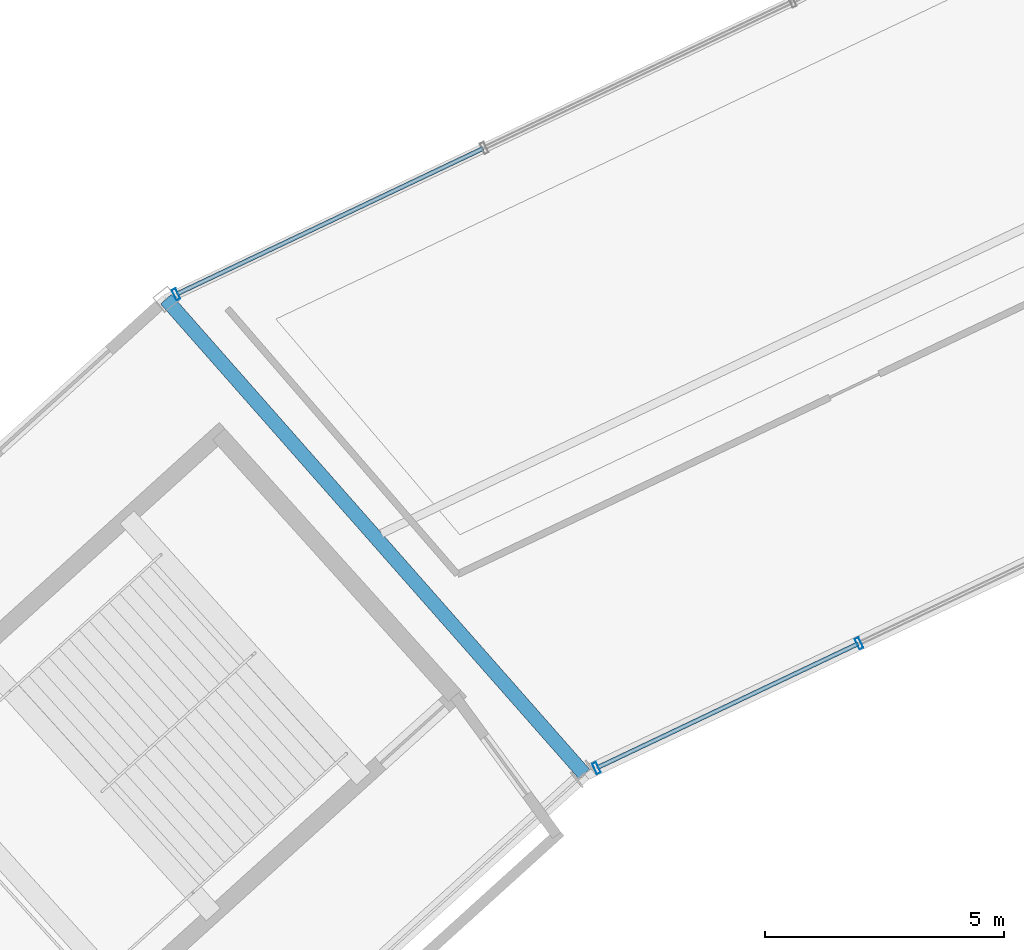
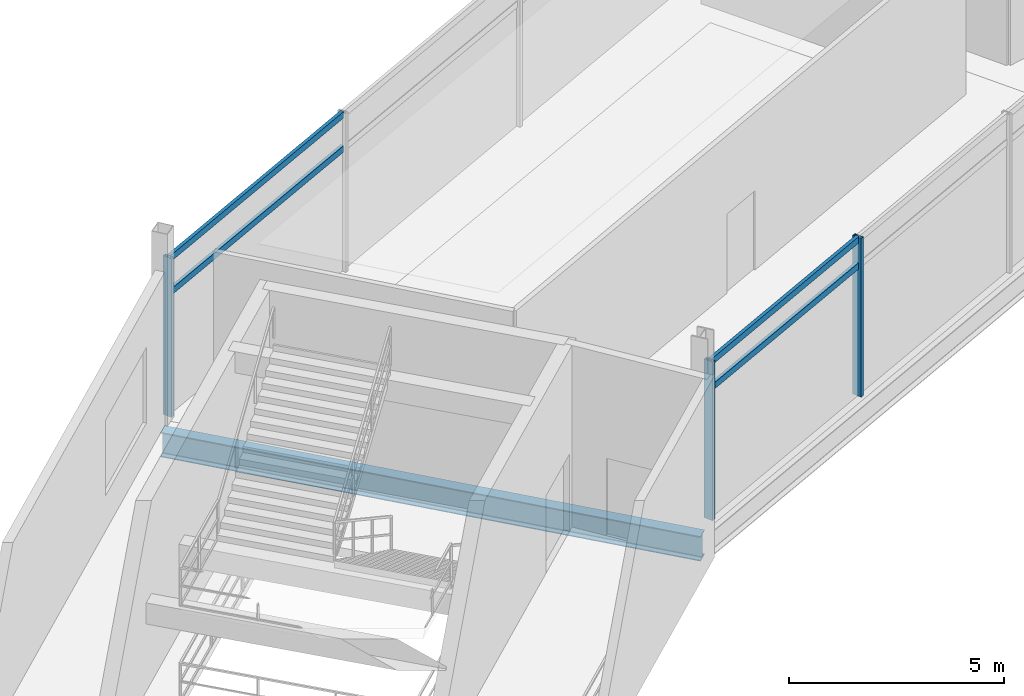
# One storey, part 51 of 86: 7 members, 1 beam, 2 elements without a shape of their own.
"""IFC4 building model written with IfcOpenShell, lengths in metres."""

from ifc_helpers import new_model, si_unit, direction, frame, origin, origin_2d, place, context, subcontext, project, spatial, hollow_rectangle, i_section, extrude, material, layer, layer_set, material_profile, profile_set, type_object, element, aggregate, save


model = new_model("IFC4")

# Units and contexts
model_context = context("Model", 3, precision=1e-05, world=origin(), true_north=direction((0.0, 1.0)))
body_context = subcontext(model_context, "Body", "Model", "MODEL_VIEW")
ifc_project = project(units=[si_unit("LENGTHUNIT", "METRE"), si_unit("AREAUNIT", "SQUARE_METRE"), si_unit("VOLUMEUNIT", "CUBIC_METRE"), si_unit("PLANEANGLEUNIT", "RADIAN"), si_unit("MASSUNIT", "GRAM", prefix="KILO")], contexts=[model_context])

# Site, building, storey
site_placement = place(None, origin())
site = spatial("IfcSite", under=ifc_project, at=site_placement, CompositionType="ELEMENT")
building_placement = place(site_placement, origin())
building = spatial("IfcBuilding", under=site, at=building_placement, Name="Kazemori Nagisa Stadium", CompositionType="ELEMENT")
storey_placement = place(building_placement, frame((0.0, 0.0, 31.280029296875)))
storey = spatial("IfcBuildingStorey", under=building, at=storey_placement, Name="L06", CompositionType="ELEMENT", Elevation=31.280029296875)

# Beam
ifc_material_1 = material(Name="Steel SN490B", Category="steel")
ifc_material_profile_1 = material_profile(ifc_material_1, i_section(OverallWidth=0.300048828125, OverallDepth=0.699951171875, WebThickness=0.012939453125, FlangeThickness=0.02392578125, FilletRadius=0.01806640625, at=origin_2d()), Name="H-700x300x13x24")
ifc_profile_set_1 = profile_set([ifc_material_profile_1], Name="Steel SN490B")
beam_type = type_object("IfcBeamType", Name="Beam_BG-H700", PredefinedType="BEAM", material=ifc_profile_set_1)
beam_placement = place(storey_placement, frame((69.165771484375, 163.11083984375, -0.610107421875), z_axis=(-0.661019680997, 0.750368563664, 0.0), x_axis=(-0.750368563664, -0.661019680997, 0.0)))
element("IfcBeam", 1, at=beam_placement, inside=storey, type_object=beam_type, Name="Radial girder BG-H700 L06 R2-R3-11", PredefinedType="BEAM", context=body_context, shape_type="SweptSolid", body=[
    extrude(i_section(OverallWidth=0.300048828125, OverallDepth=0.699951171875, WebThickness=0.012939453125, FlangeThickness=0.02392578125, FilletRadius=0.01806640625, at=origin_2d()), origin(), (0.0, 0.0, 1.0), 13.2578125),
])

# Curtain wall, member
ifc_material_2 = material(Name="Anodised aluminium 6063-T5", Category="aluminium")
ifc_layer_1 = layer(ifc_material_2, 0.239990234375, Name="Anodised aluminium 6063-T5", Category="aluminium")
ifc_layer_set_1 = layer_set([ifc_layer_1], Name="Anodised aluminium 6063-T5")
curtain_wall_type_1 = type_object("IfcCurtainWallType", Name="CW_L06R3_108", PredefinedType="USERDEFINED", material=ifc_layer_set_1)
curtain_wall_1_placement = place(storey_placement, origin())
curtain_wall_1 = element("IfcCurtainWall", 2, at=curtain_wall_1_placement, inside=storey, type_object=curtain_wall_type_1, Name="Unitised curtain wall CW-L06R3-108 L06", ObjectType="UNITISED CURTAIN WALL", PredefinedType="USERDEFINED")
ifc_material_3 = material(Name="Aluminium 6063-T5 anodised", Category="aluminium")
ifc_material_profile_2 = material_profile(ifc_material_3, hollow_rectangle(XDim=0.090087890625, YDim=0.239990234375, WallThickness=0.0048828125, at=origin_2d()), Name="ALU-MULL-90x240x5")
ifc_profile_set_2 = profile_set([ifc_material_profile_2], Name="Aluminium 6063-T5 anodised")
member_type_1 = type_object("IfcMemberType", Name="Mullion_M03", PredefinedType="MULLION", material=ifc_profile_set_2)
member_1_placement = place(storey_placement, frame((60.6142578125, 173.159912109375, 0.0), z_axis=(0.0, 0.0, 1.0), x_axis=(-0.903215892654, -0.429186499388, 0.0)))
member_1 = element("IfcMember", 3, at=member_1_placement, type_object=member_type_1, Name="Curtain wall mullion CW-L06R3-108-M4", PredefinedType="MULLION", context=body_context, shape_type="SweptSolid", body=[
    extrude(hollow_rectangle(XDim=0.090087890625, YDim=0.239990234375, WallThickness=0.0048828125, at=origin_2d()), origin(), (0.0, 0.0, 1.0), 4.510009765625),
])

# Curtain wall, members
ifc_layer_2 = layer(ifc_material_2, 0.239990234375, Name="Anodised aluminium 6063-T5", Category="aluminium")
ifc_layer_set_2 = layer_set([ifc_layer_2], Name="Anodised aluminium 6063-T5")
curtain_wall_type_2 = type_object("IfcCurtainWallType", Name="CW_L06G_92", PredefinedType="USERDEFINED", material=ifc_layer_set_2)
curtain_wall_2_placement = place(storey_placement, origin())
curtain_wall_2 = element("IfcCurtainWall", 4, at=curtain_wall_2_placement, inside=storey, type_object=curtain_wall_type_2, Name="Unitised curtain wall CW-L06G-92 L06", ObjectType="UNITISED CURTAIN WALL", PredefinedType="USERDEFINED")
member_2_placement = place(storey_placement, frame((74.925537109375, 165.84765625, 0.0), z_axis=(0.0, 0.0, 1.0), x_axis=(-0.903215892654, -0.429186499388, 0.0)))
member_2 = element("IfcMember", 5, at=member_2_placement, type_object=member_type_1, Name="Curtain wall mullion CW-L06G-92-M3", PredefinedType="MULLION", context=body_context, shape_type="SweptSolid", body=[
    extrude(hollow_rectangle(XDim=0.090087890625, YDim=0.239990234375, WallThickness=0.0048828125, at=origin_2d()), origin(), (0.0, 0.0, 1.0), 4.510009765625),
])
member_3_placement = place(storey_placement, frame((69.423095703125, 163.233154296875, 0.0), z_axis=(0.0, 0.0, 1.0), x_axis=(-0.903215892654, -0.429186499388, 0.0)))
member_3 = element("IfcMember", 6, at=member_3_placement, type_object=member_type_1, Name="Curtain wall mullion CW-L06G-92-M4", PredefinedType="MULLION", context=body_context, shape_type="SweptSolid", body=[
    extrude(hollow_rectangle(XDim=0.090087890625, YDim=0.239990234375, WallThickness=0.0048828125, at=origin_2d()), origin(), (0.0, 0.0, 1.0), 4.510009765625),
])

# Member
ifc_material_profile_3 = material_profile(ifc_material_3, hollow_rectangle(XDim=0.090087890625, YDim=0.179931640625, WallThickness=0.0048828125, at=origin_2d()), Name="ALU-TRAN-90x180x5")
ifc_profile_set_3 = profile_set([ifc_material_profile_3], Name="Aluminium 6063-T5 anodised")
member_type_2 = type_object("IfcMemberType", Name="Transom_T03", PredefinedType="USERDEFINED", material=ifc_profile_set_3)
member_4_placement = place(storey_placement, frame((67.052490234375, 176.218994140625, 3.47265625), z_axis=(-0.903225250156, -0.429166806126, 0.0), x_axis=(0.429166806126, -0.903225250156, 0.0)))
member_4 = element("IfcMember", 7, at=member_4_placement, type_object=member_type_2, Name="Curtain wall transom CW-L06R3-108-T3-mid", ObjectType="TRANSOM", PredefinedType="USERDEFINED", context=body_context, shape_type="SweptSolid", body=[
    extrude(hollow_rectangle(XDim=0.090087890625, YDim=0.179931640625, WallThickness=0.0048828125, at=origin_2d()), origin(), (0.0, 0.0, 1.0), 7.108154296875),
])

member_5_placement = place(storey_placement, frame((67.052490234375, 176.218994140625, 4.43994140625), z_axis=(-0.903225250156, -0.429166806126, 0.0), x_axis=(0.429166806126, -0.903225250156, 0.0)))
member_5 = element("IfcMember", 8, at=member_5_placement, type_object=member_type_2, Name="Curtain wall transom CW-L06R3-108-T3-head", ObjectType="TRANSOM", PredefinedType="USERDEFINED", context=body_context, shape_type="SweptSolid", body=[
    extrude(hollow_rectangle(XDim=0.090087890625, YDim=0.179931640625, WallThickness=0.0048828125, at=origin_2d()), origin(), (0.0, 0.0, 1.0), 7.108154296875),
])

aggregate(curtain_wall_1, [member_1, member_4, member_5])

member_6_placement = place(storey_placement, frame((74.907470703125, 165.839111328125, 3.6982421875), z_axis=(-0.903218867774, -0.429180238242, 0.0), x_axis=(0.429180238242, -0.903218867774, 0.0)))
member_6 = element("IfcMember", 9, at=member_6_placement, type_object=member_type_2, Name="Curtain wall transom CW-L06G-92-T3-mid", ObjectType="TRANSOM", PredefinedType="USERDEFINED", context=body_context, shape_type="SweptSolid", body=[
    extrude(hollow_rectangle(XDim=0.090087890625, YDim=0.179931640625, WallThickness=0.0048828125, at=origin_2d()), origin(), (0.0, 0.0, 1.0), 6.052001953125),
])

member_7_placement = place(storey_placement, frame((74.907470703125, 165.839111328125, 4.43994140625), z_axis=(-0.903218867774, -0.429180238242, 0.0), x_axis=(0.429180238242, -0.903218867774, 0.0)))
member_7 = element("IfcMember", 10, at=member_7_placement, type_object=member_type_2, Name="Curtain wall transom CW-L06G-92-T3-head", ObjectType="TRANSOM", PredefinedType="USERDEFINED", context=body_context, shape_type="SweptSolid", body=[
    extrude(hollow_rectangle(XDim=0.090087890625, YDim=0.179931640625, WallThickness=0.0048828125, at=origin_2d()), origin(), (0.0, 0.0, 1.0), 6.052001953125),
])

aggregate(curtain_wall_2, [member_2, member_3, member_6, member_7])

save(model, "model.ifc")
